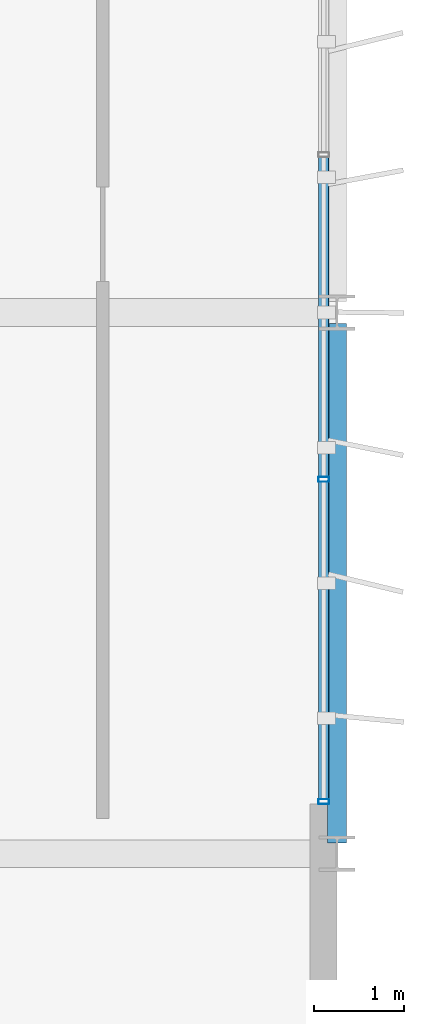
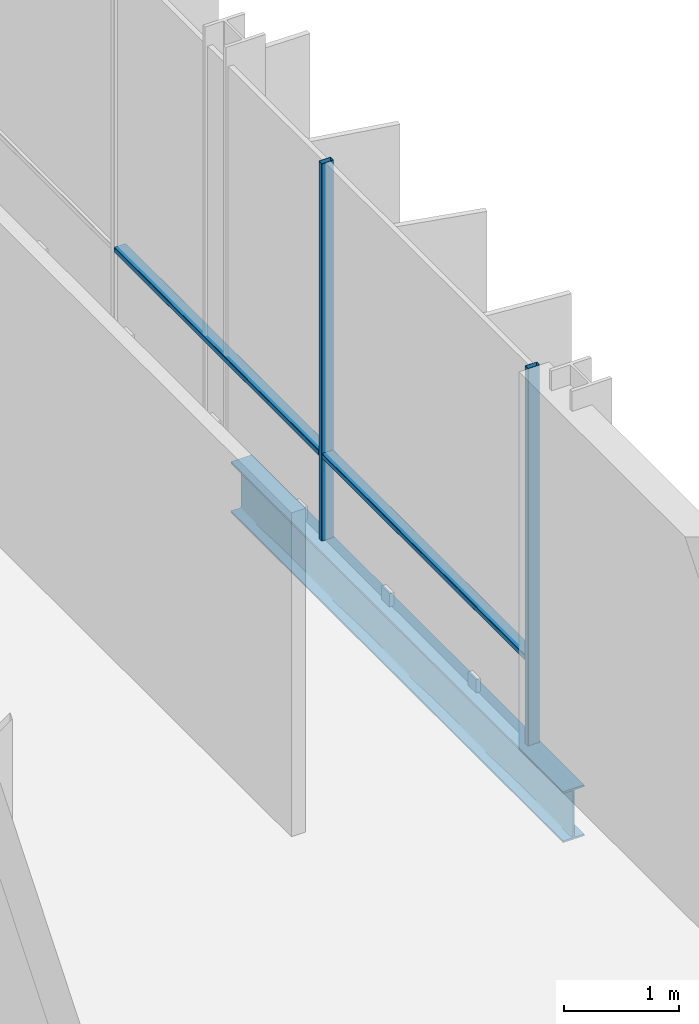
# One storey, part 17 of 33: 4 members, 1 beam, 1 element without a shape of its own.
"""IFC4 building model written with IfcOpenShell, lengths in metres."""

from ifc_helpers import new_model, si_unit, direction, frame, origin, origin_2d, place, context, subcontext, project, spatial, hollow_rectangle, i_section, extrude, material, layer, layer_set, material_profile, profile_set, type_object, element, aggregate, save


model = new_model("IFC4")

# Units and contexts
model_context = context("Model", 3, precision=1e-05, world=origin(), true_north=direction((0.0, 1.0)))
body_context = subcontext(model_context, "Body", "Model", "MODEL_VIEW")
ifc_project = project(units=[si_unit("LENGTHUNIT", "METRE"), si_unit("AREAUNIT", "SQUARE_METRE"), si_unit("VOLUMEUNIT", "CUBIC_METRE"), si_unit("PLANEANGLEUNIT", "RADIAN"), si_unit("MASSUNIT", "GRAM", prefix="KILO")], contexts=[model_context])

# Site, building, storey
site_placement = place(None, origin())
site = spatial("IfcSite", under=ifc_project, at=site_placement, CompositionType="ELEMENT")
building_placement = place(site_placement, origin())
building = spatial("IfcBuilding", under=site, at=building_placement, Name="Brevholm Reach", CompositionType="ELEMENT")
storey_placement = place(building_placement, frame((0.0, 0.0, 179.0)))
storey = spatial("IfcBuildingStorey", under=building, at=storey_placement, Name="L54", CompositionType="ELEMENT", Elevation=179.0)

# Beam
ifc_material_1 = material(Name="Structural Steel S355J2", Category="steel")
ifc_material_profile_1 = material_profile(ifc_material_1, i_section(OverallWidth=0.210693359375, OverallDepth=0.53955078125, WebThickness=0.01171875, FlangeThickness=0.018798828125, FilletRadius=0.0126953125, at=origin_2d()), Name="UKB 533x210x109")
ifc_profile_set_1 = profile_set([ifc_material_profile_1], Name="Structural Steel S355J2")
beam_type = type_object("IfcBeamType", Name="BM-SP539", PredefinedType="SPANDREL", material=ifc_profile_set_1)
beam_placement = place(storey_placement, frame((60.0, 10.1201171875, -0.52978515625), z_axis=(0.0, 1.0, 0.0), x_axis=(-1.0, 0.0, 0.0)))
element("IfcBeam", 1, at=beam_placement, inside=storey, type_object=beam_type, Name="L54 SP-01B Framing Beam", PredefinedType="SPANDREL", context=body_context, shape_type="SweptSolid", body=[
    extrude(i_section(OverallWidth=0.210693359375, OverallDepth=0.53955078125, WebThickness=0.01171875, FlangeThickness=0.018798828125, FilletRadius=0.0126953125, at=origin_2d()), origin(), (0.0, 0.0, 1.0), 5.759765625),
])

# Curtain wall, members
ifc_material_2 = material(Name="Dark Anodised Aluminium 6063-T6 and Solar-Control Glass", Category="aluminium")
ifc_layer = layer(ifc_material_2, 0.1201171875)
ifc_layer_set = layer_set([ifc_layer], Name="Dark Anodised Aluminium 6063-T6 and Solar-Control Glass")
curtain_wall_type = type_object("IfcCurtainWallType", Name="CW-06", PredefinedType="NOTDEFINED", material=ifc_layer_set)
curtain_wall_placement = place(storey_placement, origin())
curtain_wall = element("IfcCurtainWall", 2, at=curtain_wall_placement, inside=storey, type_object=curtain_wall_type, Name="L54 Curtain Wall CW-06", PredefinedType="NOTDEFINED")
ifc_material_3 = material(Name="Dark Anodised Aluminium 6063-T6", Category="aluminium")
ifc_material_profile_2 = material_profile(ifc_material_3, hollow_rectangle(XDim=0.054931640625, YDim=0.1201171875, WallThickness=0.00390625, InnerFilletRadius=0.00390625, OuterFilletRadius=0.008056640625, at=origin_2d()), Name="RHS 120x55x4")
ifc_profile_set_2 = profile_set([ifc_material_profile_2], Name="Dark Anodised Aluminium 6063-T6")
member_type_1 = type_object("IfcMemberType", Name="CWM-120", PredefinedType="MULLION", material=ifc_profile_set_2)
member_1_placement = place(storey_placement, frame((59.85009765625, 10.577392578125, 0.0), z_axis=(0.0, 0.0, 1.0), x_axis=(0.0, 1.0, 0.0)))
member_1 = element("IfcMember", 3, at=member_1_placement, type_object=member_type_1, Name="CM-120 Mullion 1", PredefinedType="MULLION", context=body_context, shape_type="SweptSolid", body=[
    extrude(hollow_rectangle(XDim=0.054931640625, YDim=0.1201171875, WallThickness=0.00390625, InnerFilletRadius=0.00390625, OuterFilletRadius=0.008056640625, at=origin_2d()), origin(), (0.0, 0.0, 1.0), 3.989990234375),
])
member_2_placement = place(storey_placement, frame((59.85009765625, 14.14990234375, 0.0), z_axis=(0.0, 0.0, 1.0), x_axis=(0.0, 1.0, 0.0)))
member_2 = element("IfcMember", 4, at=member_2_placement, type_object=member_type_1, Name="CM-120 Mullion 2", PredefinedType="MULLION", context=body_context, shape_type="SweptSolid", body=[
    extrude(hollow_rectangle(XDim=0.054931640625, YDim=0.1201171875, WallThickness=0.00390625, InnerFilletRadius=0.00390625, OuterFilletRadius=0.008056640625, at=origin_2d()), origin(), (0.0, 0.0, 1.0), 3.989990234375),
])
ifc_material_4 = material(Name="Dark Anodised Aluminium 6063-T6", Category="aluminium")
ifc_material_profile_3 = material_profile(ifc_material_4, hollow_rectangle(XDim=0.054931640625, YDim=0.1201171875, WallThickness=0.00390625, InnerFilletRadius=0.00390625, OuterFilletRadius=0.008056640625, at=origin_2d()), Name="RHS 120x55x4")
ifc_profile_set_3 = profile_set([ifc_material_profile_3], Name="Dark Anodised Aluminium 6063-T6")
member_type_2 = type_object("IfcMemberType", Name="CWT-120", PredefinedType="NOTDEFINED", material=ifc_profile_set_3)
member_3_placement = place(storey_placement, frame((59.85009765625, 10.60498046875, 0.89990234375), z_axis=(0.0, 1.0, 0.0), x_axis=(0.0, 0.0, 1.0)))
member_3 = element("IfcMember", 5, at=member_3_placement, type_object=member_type_2, Name="CT-120 Transom 1.1", ObjectType="TRANSOM", PredefinedType="USERDEFINED", context=body_context, shape_type="SweptSolid", body=[
    extrude(hollow_rectangle(XDim=0.054931640625, YDim=0.1201171875, WallThickness=0.00390625, InnerFilletRadius=0.00390625, OuterFilletRadius=0.008056640625, at=origin_2d()), origin(), (0.0, 0.0, 1.0), 3.517578125),
])
member_4_placement = place(storey_placement, frame((59.85009765625, 14.177490234375, 0.89990234375), z_axis=(0.0, 1.0, 0.0), x_axis=(0.0, 0.0, 1.0)))
member_4 = element("IfcMember", 6, at=member_4_placement, type_object=member_type_2, Name="CT-120 Transom 2.1", ObjectType="TRANSOM", PredefinedType="USERDEFINED", context=body_context, shape_type="SweptSolid", body=[
    extrude(hollow_rectangle(XDim=0.054931640625, YDim=0.1201171875, WallThickness=0.00390625, InnerFilletRadius=0.00390625, OuterFilletRadius=0.008056640625, at=origin_2d()), origin(), (0.0, 0.0, 1.0), 3.544921875),
])
aggregate(curtain_wall, [member_1, member_2, member_3, member_4])

save(model, "model.ifc")
